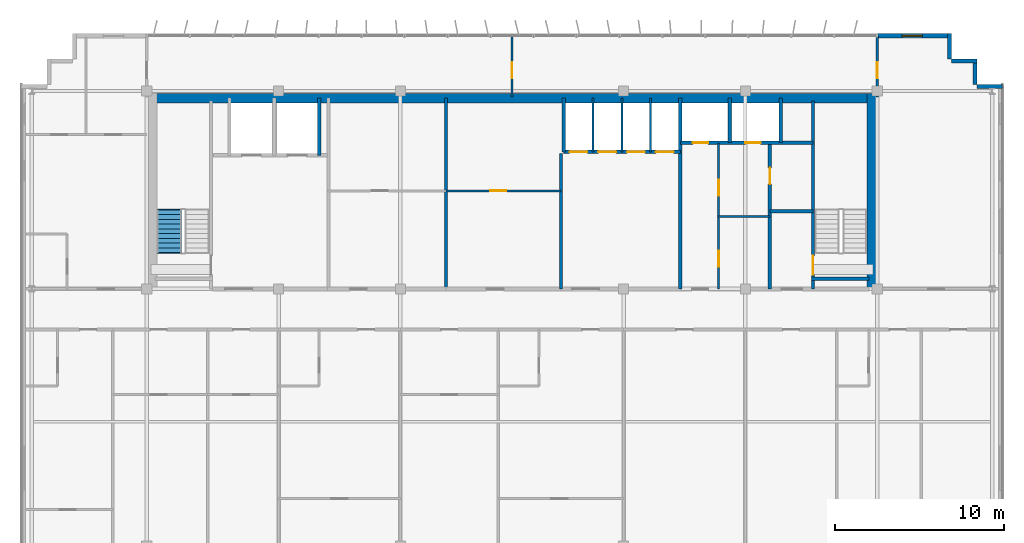
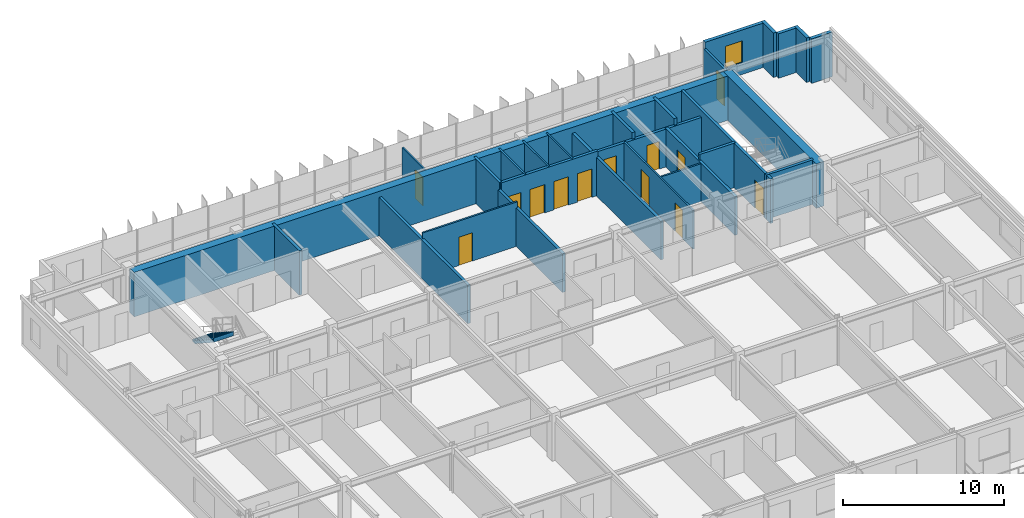
# One storey, part 20 of 23: 28 walls, 13 doors, 1 stair flight, 1 window, 14 openings, 1 element without a shape of its own.
"""IFC4 building model written with IfcOpenShell, lengths in metres."""

from ifc_helpers import new_model, si_unit, direction, frame, frame_2d, origin, place, context, subcontext, project, spatial, polyline, rectangle, outline, extrude, source, transform, mapped, material, layer, layer_set, type_object, element, fill, aggregate, save


model = new_model("IFC4")

# Units and contexts
model_context = context("Model", 3, precision=1e-05, world=origin(), true_north=direction((0.0, 1.0)))
body_context = subcontext(model_context, "Body", "Model", "MODEL_VIEW")
ifc_project = project(units=[si_unit("LENGTHUNIT", "METRE"), si_unit("AREAUNIT", "SQUARE_METRE"), si_unit("VOLUMEUNIT", "CUBIC_METRE"), si_unit("PLANEANGLEUNIT", "RADIAN"), si_unit("MASSUNIT", "GRAM", prefix="KILO")], contexts=[model_context])

# Site, building, storey
site_placement = place(None, origin())
site = spatial("IfcSite", under=ifc_project, at=site_placement, CompositionType="ELEMENT")
building_placement = place(site_placement, origin())
building = spatial("IfcBuilding", under=site, at=building_placement, Name="Trelvane Seafront Commons", CompositionType="ELEMENT")
storey_placement = place(building_placement, frame((0.0, 0.0, 263.10009765625)))
storey = spatial("IfcBuildingStorey", under=building, at=storey_placement, Name="L68", CompositionType="ELEMENT", Elevation=263.10009765625)

# Wall, opening, window
ifc_material_1 = material(Name="Precast concrete C40/50", Category="concrete")
ifc_layer_1 = layer(ifc_material_1, 0.239990234375, Name="ARCH-WALL-EXT240")
ifc_layer_set_1 = layer_set([ifc_layer_1], Name="Precast concrete C40/50")
wall_type_1 = type_object("IfcWallType", Name="ARCH-WALL-EXT240", PredefinedType="SOLIDWALL", material=ifc_layer_set_1)
wall_1_placement = place(storey_placement, frame((58.800048828125, 48.3701171875, 0.0), z_axis=(0.0, 0.0, 1.0), x_axis=(1.0, 0.0, 0.0)))
wall_1 = element("IfcWall", 1, at=wall_1_placement, inside=storey, type_object=wall_type_1, Name="EW-L68-NE-1362", PredefinedType="SOLIDWALL", context=body_context, shape_type="SweptSolid", body=[
    extrude(rectangle(XDim=4.300048828125, YDim=0.239990234375, at=frame_2d((2.14990234375, 0.0))), origin(), (0.0, 0.0, 1.0), 3.369873046875),
])
opening_1_placement = place(wall_1_placement, frame((1.4599609375, 0.0, 0.89990234375)))
opening_1 = element("IfcOpeningElement", 2, at=opening_1_placement, cuts=wall_1, Name="Opening W05", PredefinedType="OPENING", context=body_context, shape_type="SweptSolid", body=[
    extrude(rectangle(XDim=1.199951171875, YDim=1.64990234375, at=frame_2d((0.60009765625, 0.824951171875))), frame((0.0, 0.1298828125, 0.0), z_axis=(0.0, -1.0, 0.0), x_axis=(1.0, 0.0, 0.0)), (0.0, 0.0, 1.0), 0.260009765625),
])
ifc_material_2 = material(Name="Low-E coastal double glazing", Category="glass")
window_type = type_object("IfcWindowType", Name="ARCH-WIN-W05", PartitioningType="SINGLE_PANEL", PredefinedType="WINDOW", material=ifc_material_2)
shared_shape_1 = source(origin(), body_context, "Body", "SweptSolid", [
    extrude(rectangle(XDim=1.199951171875, YDim=1.64990234375, at=frame_2d((0.60009765625, 0.824951171875))), frame((0.0, 0.030029296875, 0.0), z_axis=(0.0, -1.0, 0.0), x_axis=(1.0, 0.0, 0.0)), (0.0, 0.0, 1.0), 0.06005859375),
])
window_placement = place(opening_1_placement, origin())
window = element("IfcWindow", 3, at=window_placement, inside=storey, type_object=window_type, Name="WIN-L68-01621", OverallHeight=1.64990234375, OverallWidth=1.199951171875, PartitioningType="SINGLE_PANEL", PredefinedType="WINDOW", context=body_context, shape_type="MappedRepresentation", body=[
    mapped(shared_shape_1, transform((0.0, 0.0, 0.0), x_axis=(1.0, 0.0, 0.0), y_axis=(0.0, 1.0, 0.0), z_axis=(0.0, 0.0, 1.0), scale=1.0)),
])
fill(opening_1, window)

# Walls
for number, where, z_axis, x_axis, name in (
    (4, (63.080078125, 48.5, 0.0), (0.0, 0.0, 1.0), (0.0, -1.0, 0.0), "EW-L68-01371"),
    (5, (63.199951171875, 46.8798828125, 0.0), (0.0, 0.0, 1.0), (1.0, 0.0, 0.0), "EW-L68-01372"),
    (6, (64.580078125, 47.0, 0.0), (0.0, 0.0, 1.0), (0.0, -1.0, 0.0), "EW-L68-01373"),
    (7, (64.699951171875, 45.3798828125, 0.0), (0.0, 0.0, 1.0), (1.0, 0.0, 0.0), "EW-L68-01374"),
):
    element("IfcWall", number, at=place(storey_placement, frame(where, z_axis=z_axis, x_axis=x_axis)), inside=storey, type_object=wall_type_1, Name=name, PredefinedType="SOLIDWALL", context=body_context, shape_type="SweptSolid", body=[
        extrude(rectangle(XDim=1.5, YDim=0.239990234375, at=frame_2d((0.75, 0.0))), origin(), (0.0, 0.0, 1.0), 3.369873046875),
    ])

# Wall, opening, door
ifc_material_3 = material(Name="Concrete C40/50", Category="concrete")
ifc_layer_2 = layer(ifc_material_3, 0.199951171875, Name="ARCH-WALL-FIRE200")
ifc_layer_set_2 = layer_set([ifc_layer_2], Name="Concrete C40/50")
wall_type_2 = type_object("IfcWallType", Name="ARCH-WALL-FIRE200", PredefinedType="PARTITIONING", material=ifc_layer_set_2)
wall_2_placement = place(storey_placement, frame((52.449951171875, 33.39990234375, 0.0), z_axis=(0.0, 0.0, 1.0), x_axis=(0.0, 1.0, 0.0)))
wall_2 = element("IfcWall", 8, at=wall_2_placement, inside=storey, type_object=wall_type_2, Name="W-L68-ST2V-W-030", PredefinedType="PARTITIONING", context=body_context, shape_type="SweptSolid", body=[
    extrude(rectangle(XDim=8.650146484375, YDim=0.199951171875, at=frame_2d((4.3251953125, 0.0))), origin(), (0.0, 0.0, 1.0), 2.919921875),
])
opening_2_placement = place(wall_2_placement, frame((6.199951171875, 0.0, 0.0)))
opening_2 = element("IfcOpeningElement", 9, at=opening_2_placement, cuts=wall_2, Name="Opening FD-L68-17", PredefinedType="OPENING", context=body_context, shape_type="SweptSolid", body=[
    extrude(rectangle(XDim=0.949951171875, YDim=2.14990234375, at=frame_2d((0.47509765625, 1.074951171875))), frame((0.0, 0.10986328125, 0.0), z_axis=(0.0, -1.0, 0.0), x_axis=(1.0, 0.0, 0.0)), (0.0, 0.0, 1.0), 0.219970703125),
])
ifc_material_4 = material(Name="Powder-coated aluminium frame", Category="aluminium")
door_type_1 = type_object("IfcDoorType", Name="ARCH-DR-FD60-950", OperationType="NOTDEFINED", PredefinedType="DOOR", material=ifc_material_4)
shared_shape_2 = source(origin(), body_context, "Body", "SweptSolid", [
    extrude(rectangle(XDim=0.949951171875, YDim=2.14990234375, at=frame_2d((0.47509765625, 1.074951171875))), frame((0.0, 0.02490234375, 0.0), z_axis=(0.0, -1.0, 0.0), x_axis=(1.0, 0.0, 0.0)), (0.0, 0.0, 1.0), 0.050048828125),
])
door_1_placement = place(opening_2_placement, origin())
door_1 = element("IfcDoor", 10, at=door_1_placement, inside=storey, type_object=door_type_1, Name="L68 Cleaner Store Door", OperationType="SINGLE_SWING_LEFT", OverallHeight=2.14990234375, OverallWidth=0.949951171875, PredefinedType="DOOR", context=body_context, shape_type="MappedRepresentation", body=[
    mapped(shared_shape_2, transform((0.0, 0.0, 0.0), x_axis=(1.0, 0.0, 0.0), y_axis=(0.0, 1.0, 0.0), z_axis=(0.0, 0.0, 1.0), scale=1.0)),
])
fill(opening_2, door_1)

# Wall
wall_3_placement = place(storey_placement, frame((52.449951171875, 38.0, 0.0), z_axis=(0.0, 0.0, 1.0), x_axis=(1.0, 0.0, 0.0)))
element("IfcWall", 11, at=wall_3_placement, inside=storey, type_object=wall_type_2, Name="W-L68-ST2V-N-031", PredefinedType="PARTITIONING", context=body_context, shape_type="SweptSolid", body=[
    extrude(rectangle(XDim=2.550048828125, YDim=0.199951171875, at=frame_2d((1.27490234375, 0.0))), origin(), (0.0, 0.0, 1.0), 3.369873046875),
])

# Wall, opening, door
ifc_material_5 = material(Name="Gypsum Drywall Acoustic Partition")
ifc_layer_3 = layer(ifc_material_5, 0.1201171875, Name="ARCH-WALL-PART120")
ifc_layer_set_3 = layer_set([ifc_layer_3], Name="Gypsum Drywall Acoustic Partition")
wall_type_3 = type_object("IfcWallType", Name="ARCH-WALL-PART120", PredefinedType="PARTITIONING", material=ifc_layer_set_3)
wall_4_placement = place(storey_placement, frame((33.300048828125, 39.199951171875, 0.0), z_axis=(0.0, 0.0, 1.0), x_axis=(1.0, 0.0, 0.0)))
wall_4 = element("IfcWall", 12, at=wall_4_placement, inside=storey, type_object=wall_type_3, Name="W-L68-FREED-PM-MID-016", PredefinedType="PARTITIONING", context=body_context, shape_type="SweptSolid", body=[
    extrude(rectangle(XDim=6.800048828125, YDim=0.1201171875, at=frame_2d((3.39990234375, 0.0))), origin(), (0.0, 0.0, 1.0), 3.369873046875),
])
opening_3_placement = place(wall_4_placement, frame((2.60009765625, 0.0, 0.0)))
opening_3 = element("IfcOpeningElement", 13, at=opening_3_placement, cuts=wall_4, Name="Opening D-L68-07", PredefinedType="OPENING", context=body_context, shape_type="SweptSolid", body=[
    extrude(rectangle(XDim=0.949951171875, YDim=2.14990234375, at=frame_2d((0.47509765625, 1.074951171875))), frame((0.0, 0.070068359375, 0.0), z_axis=(0.0, -1.0, 0.0), x_axis=(1.0, 0.0, 0.0)), (0.0, 0.0, 1.0), 0.14013671875),
])
ifc_material_6 = material(Name="Acoustic timber door leaf", Category="wood")
door_type_2 = type_object("IfcDoorType", Name="ARCH-DR-INT950", OperationType="NOTDEFINED", PredefinedType="DOOR", material=ifc_material_6)
door_2_placement = place(opening_3_placement, origin())
door_2 = element("IfcDoor", 14, at=door_2_placement, inside=storey, type_object=door_type_2, Name="L68 IT Comms Room Door", OperationType="SINGLE_SWING_LEFT", OverallHeight=2.14990234375, OverallWidth=0.949951171875, PredefinedType="DOOR", context=body_context, shape_type="MappedRepresentation", body=[
    mapped(shared_shape_2, transform((0.0, 0.0, 0.0), x_axis=(1.0, 0.0, 0.0), y_axis=(0.0, 1.0, 0.0), z_axis=(0.0, 0.0, 1.0), scale=1.0)),
])
fill(opening_3, door_2)

# Walls
for number, where, z_axis, x_axis, name in (
    (15, (42.0, 41.5, 0.0), (0.0, 0.0, 1.0), (0.0, 1.0, 0.0), "W-L68-PH-DIV1-020"),
    (16, (43.699951171875, 41.5, 0.0), (0.0, 0.0, 1.0), (0.0, 1.0, 0.0), "W-L68-PH-DIV2-021"),
    (17, (45.39990234375, 41.5, 0.0), (0.0, 0.0, 1.0), (0.0, 1.0, 0.0), "W-L68-PH-DIV3-022"),
):
    element("IfcWall", number, at=place(storey_placement, frame(where, z_axis=z_axis, x_axis=x_axis)), inside=storey, type_object=wall_type_3, Name=name, PredefinedType="PARTITIONING", context=body_context, shape_type="SweptSolid", body=[
        extrude(rectangle(XDim=3.199951171875, YDim=0.1201171875, at=frame_2d((1.60009765625, 0.0))), origin(), (0.0, 0.0, 1.0), 3.369873046875),
    ])

# Wall, openings, doors
wall_5_placement = place(storey_placement, frame((49.419921875, 33.39990234375, 0.0), z_axis=(0.0, 0.0, 1.0), x_axis=(0.0, 1.0, 0.0)))
wall_5 = element("IfcWall", 18, at=wall_5_placement, inside=storey, type_object=wall_type_3, Name="W-L68-CYC0-V-032", PredefinedType="PARTITIONING", context=body_context, shape_type="SweptSolid", body=[
    extrude(rectangle(XDim=8.60009765625, YDim=0.1201171875, at=frame_2d((4.300048828125, 0.0))), origin(), (0.0, 0.0, 1.0), 2.919921875),
])
opening_4_placement = place(wall_5_placement, frame((1.300048828125, 0.0, 0.0)))
opening_4 = element("IfcOpeningElement", 19, at=opening_4_placement, cuts=wall_5, Name="Opening D-L68-18", PredefinedType="OPENING", context=body_context, shape_type="SweptSolid", body=[
    extrude(rectangle(XDim=0.949951171875, YDim=2.14990234375, at=frame_2d((0.47509765625, 1.074951171875))), frame((0.0, 0.070068359375, 0.0), z_axis=(0.0, -1.0, 0.0), x_axis=(1.0, 0.0, 0.0)), (0.0, 0.0, 1.0), 0.14013671875),
])
opening_5_placement = place(wall_5_placement, frame((5.5, 0.0, 0.0)))
opening_5 = element("IfcOpeningElement", 20, at=opening_5_placement, cuts=wall_5, Name="Opening D-L68-19", PredefinedType="OPENING", context=body_context, shape_type="SweptSolid", body=[
    extrude(rectangle(XDim=0.949951171875, YDim=2.14990234375, at=frame_2d((0.47509765625, 1.074951171875))), frame((0.0, 0.070068359375, 0.0), z_axis=(0.0, -1.0, 0.0), x_axis=(1.0, 0.0, 0.0)), (0.0, 0.0, 1.0), 0.14013671875),
])
door_3_placement = place(opening_4_placement, origin())
door_3 = element("IfcDoor", 21, at=door_3_placement, inside=storey, type_object=door_type_2, Name="L68 Accessible WC Door", OperationType="SINGLE_SWING_RIGHT", OverallHeight=2.14990234375, OverallWidth=0.949951171875, PredefinedType="DOOR", context=body_context, shape_type="MappedRepresentation", body=[
    mapped(shared_shape_2, transform((0.0, 0.0, 0.0), x_axis=(1.0, 0.0, 0.0), y_axis=(0.0, 1.0, 0.0), z_axis=(0.0, 0.0, 1.0), scale=1.0)),
])
fill(opening_4, door_3)
door_4_placement = place(opening_5_placement, origin())
door_4 = element("IfcDoor", 22, at=door_4_placement, inside=storey, type_object=door_type_2, Name="L68 Common WC Door", OperationType="SINGLE_SWING_LEFT", OverallHeight=2.14990234375, OverallWidth=0.949951171875, PredefinedType="DOOR", context=body_context, shape_type="MappedRepresentation", body=[
    mapped(shared_shape_2, transform((0.0, 0.0, 0.0), x_axis=(1.0, 0.0, 0.0), y_axis=(0.0, 1.0, 0.0), z_axis=(0.0, 0.0, 1.0), scale=1.0)),
])
fill(opening_5, door_4)

# Wall
wall_6_placement = place(storey_placement, frame((49.419921875, 37.679931640625, 0.0), z_axis=(0.0, 0.0, 1.0), x_axis=(1.0, 0.0, 0.0)))
element("IfcWall", 23, at=wall_6_placement, inside=storey, type_object=wall_type_3, Name="W-L68-CYC0-H-033", PredefinedType="PARTITIONING", context=body_context, shape_type="SweptSolid", body=[
    extrude(rectangle(XDim=3.030029296875, YDim=0.1201171875, at=frame_2d((1.51513671875, 0.0))), origin(), (0.0, 0.0, 1.0), 2.869873046875),
])

# Wall, opening, door
wall_7_placement = place(storey_placement, frame((37.199951171875, 44.75, 0.0), z_axis=(0.0, 0.0, 1.0), x_axis=(0.0, 1.0, 0.0)))
wall_7 = element("IfcWall", 24, at=wall_7_placement, inside=storey, type_object=wall_type_3, Name="W-L68-N-MID-DV-042", PredefinedType="PARTITIONING", context=body_context, shape_type="SweptSolid", body=[
    extrude(rectangle(XDim=3.610107421875, YDim=0.1201171875, at=frame_2d((1.80517578125, 0.0))), origin(), (0.0, 0.0, 1.0), 2.919921875),
])
opening_6_placement = place(wall_7_placement, frame((1.10009765625, 0.0, 0.0)))
opening_6 = element("IfcOpeningElement", 25, at=opening_6_placement, cuts=wall_7, Name="Opening D-L68-27", PredefinedType="OPENING", context=body_context, shape_type="SweptSolid", body=[
    extrude(rectangle(XDim=0.949951171875, YDim=2.14990234375, at=frame_2d((0.47509765625, 1.074951171875))), frame((0.0, 0.070068359375, 0.0), z_axis=(0.0, -1.0, 0.0), x_axis=(1.0, 0.0, 0.0)), (0.0, 0.0, 1.0), 0.14013671875),
])
door_5_placement = place(opening_6_placement, origin())
door_5 = element("IfcDoor", 26, at=door_5_placement, inside=storey, type_object=door_type_2, Name="L68 Door 27", OperationType="SINGLE_SWING_LEFT", OverallHeight=2.14990234375, OverallWidth=0.949951171875, PredefinedType="DOOR", context=body_context, shape_type="MappedRepresentation", body=[
    mapped(shared_shape_2, transform((0.0, 0.0, 0.0), x_axis=(1.0, 0.0, 0.0), y_axis=(0.0, 1.0, 0.0), z_axis=(0.0, 0.0, 1.0), scale=1.0)),
])
fill(opening_6, door_5)

ifc_layer_4 = layer(ifc_material_5, 0.14990234375, Name="ARCH-WALL-PART150")
ifc_layer_set_4 = layer_set([ifc_layer_4], Name="Gypsum Drywall Acoustic Partition")
wall_type_4 = type_object("IfcWallType", Name="ARCH-WALL-PART150", PredefinedType="PARTITIONING", material=ifc_layer_set_4)
wall_8_placement = place(storey_placement, frame((58.800048828125, 44.75, 0.0), z_axis=(0.0, 0.0, 1.0), x_axis=(0.0, 1.0, 0.0)))
wall_8 = element("IfcWall", 27, at=wall_8_placement, inside=storey, type_object=wall_type_4, Name="W-L68-N-LINK-E-044", PredefinedType="PARTITIONING", context=body_context, shape_type="SweptSolid", body=[
    extrude(rectangle(XDim=3.610107421875, YDim=0.14990234375, at=frame_2d((1.80517578125, 0.0))), origin(), (0.0, 0.0, 1.0), 2.869873046875),
])
opening_7_placement = place(wall_8_placement, frame((1.10009765625, 0.0, 0.0)))
opening_7 = element("IfcOpeningElement", 28, at=opening_7_placement, cuts=wall_8, Name="Opening FD-L68-29", PredefinedType="OPENING", context=body_context, shape_type="SweptSolid", body=[
    extrude(rectangle(XDim=0.949951171875, YDim=2.14990234375, at=frame_2d((0.47509765625, 1.074951171875))), frame((0.0, 0.0849609375, 0.0), z_axis=(0.0, -1.0, 0.0), x_axis=(1.0, 0.0, 0.0)), (0.0, 0.0, 1.0), 0.169921875),
])
door_6_placement = place(opening_7_placement, origin())
door_6 = element("IfcDoor", 29, at=door_6_placement, inside=storey, type_object=door_type_1, Name="L68 Door 29", OperationType="SINGLE_SWING_LEFT", OverallHeight=2.14990234375, OverallWidth=0.949951171875, PredefinedType="DOOR", context=body_context, shape_type="MappedRepresentation", body=[
    mapped(shared_shape_2, transform((0.0, 0.0, 0.0), x_axis=(1.0, 0.0, 0.0), y_axis=(0.0, 1.0, 0.0), z_axis=(0.0, 0.0, 1.0), scale=1.0)),
])
fill(opening_7, door_6)

# Walls
ifc_layer_5 = layer(ifc_material_3, 0.199951171875, Name="ARCH-WALL-SHAFT200")
ifc_layer_set_5 = layer_set([ifc_layer_5], Name="Concrete C40/50")
wall_type_5 = type_object("IfcWallType", Name="ARCH-WALL-SHAFT200", PredefinedType="SOLIDWALL", material=ifc_layer_set_5)
wall_9_placement = place(storey_placement, frame((25.800048828125, 41.300048828125, 0.0), z_axis=(0.0, 0.0, 1.0), x_axis=(0.0, 1.0, 0.0)))
element("IfcWall", 30, at=wall_9_placement, inside=storey, type_object=wall_type_5, Name="W-L68-FFL-SH-E-011", PredefinedType="SOLIDWALL", context=body_context, shape_type="SweptSolid", body=[
    extrude(rectangle(XDim=3.39990234375, YDim=0.199951171875, at=frame_2d((1.699951171875, 0.0))), origin(), (0.0, 0.0, 1.0), 3.369873046875),
])
wall_10_placement = place(storey_placement, frame((33.300048828125, 33.39990234375, 0.0), z_axis=(0.0, 0.0, 1.0), x_axis=(0.0, 1.0, 0.0)))
element("IfcWall", 31, at=wall_10_placement, inside=storey, type_object=wall_type_5, Name="W-L68-FREED-PL-E-015", PredefinedType="SOLIDWALL", context=body_context, shape_type="SweptSolid", body=[
    extrude(rectangle(XDim=11.300048828125, YDim=0.199951171875, at=frame_2d((5.64990234375, 0.0))), origin(), (0.0, 0.0, 1.0), 2.919921875),
])
wall_11_placement = place(storey_placement, frame((40.10009765625, 33.39990234375, 0.0), z_axis=(0.0, 0.0, 1.0), x_axis=(0.0, 1.0, 0.0)))
element("IfcWall", 32, at=wall_11_placement, inside=storey, type_object=wall_type_5, Name="W-L68-FREED-PM-E-017", PredefinedType="SOLIDWALL", context=body_context, shape_type="SweptSolid", body=[
    extrude(rectangle(XDim=8.0, YDim=0.199951171875, at=frame_2d((4.0, 0.0))), origin(), (0.0, 0.0, 1.0), 2.919921875),
])

# Wall, openings, doors
wall_12_placement = place(storey_placement, frame((40.25, 41.5, 0.0), z_axis=(0.0, 0.0, 1.0), x_axis=(1.0, 0.0, 0.0)))
wall_12 = element("IfcWall", 33, at=wall_12_placement, inside=storey, type_object=wall_type_5, Name="W-L68-PH-FRONT-018", PredefinedType="SOLIDWALL", context=body_context, shape_type="SweptSolid", body=[
    extrude(rectangle(XDim=6.89990234375, YDim=0.199951171875, at=frame_2d((3.449951171875, 0.0))), origin(), (0.0, 0.0, 1.0), 3.369873046875),
])
opening_8_placement = place(wall_12_placement, frame((0.35009765625, 0.0, 0.0)))
opening_8 = element("IfcOpeningElement", 34, at=opening_8_placement, cuts=wall_12, Name="Opening LD-PH1-L68", PredefinedType="OPENING", context=body_context, shape_type="SweptSolid", body=[
    extrude(rectangle(XDim=1.050048828125, YDim=2.14990234375, at=frame_2d((0.52490234375, 1.074951171875))), frame((0.0, 0.10986328125, 0.0), z_axis=(0.0, -1.0, 0.0), x_axis=(1.0, 0.0, 0.0)), (0.0, 0.0, 1.0), 0.219970703125),
])
opening_9_placement = place(wall_12_placement, frame((2.050048828125, 0.0, 0.0)))
opening_9 = element("IfcOpeningElement", 35, at=opening_9_placement, cuts=wall_12, Name="Opening LD-PH2-L68", PredefinedType="OPENING", context=body_context, shape_type="SweptSolid", body=[
    extrude(rectangle(XDim=1.050048828125, YDim=2.14990234375, at=frame_2d((0.52490234375, 1.074951171875))), frame((0.0, 0.10986328125, 0.0), z_axis=(0.0, -1.0, 0.0), x_axis=(1.0, 0.0, 0.0)), (0.0, 0.0, 1.0), 0.219970703125),
])
opening_10_placement = place(wall_12_placement, frame((3.75, 0.0, 0.0)))
opening_10 = element("IfcOpeningElement", 36, at=opening_10_placement, cuts=wall_12, Name="Opening LD-PH3-L68", PredefinedType="OPENING", context=body_context, shape_type="SweptSolid", body=[
    extrude(rectangle(XDim=1.050048828125, YDim=2.14990234375, at=frame_2d((0.52490234375, 1.074951171875))), frame((0.0, 0.10986328125, 0.0), z_axis=(0.0, -1.0, 0.0), x_axis=(1.0, 0.0, 0.0)), (0.0, 0.0, 1.0), 0.219970703125),
])
opening_11_placement = place(wall_12_placement, frame((5.449951171875, 0.0, 0.0)))
opening_11 = element("IfcOpeningElement", 37, at=opening_11_placement, cuts=wall_12, Name="Opening LD-PH4-L68", PredefinedType="OPENING", context=body_context, shape_type="SweptSolid", body=[
    extrude(rectangle(XDim=1.050048828125, YDim=2.14990234375, at=frame_2d((0.52490234375, 1.074951171875))), frame((0.0, 0.10986328125, 0.0), z_axis=(0.0, -1.0, 0.0), x_axis=(1.0, 0.0, 0.0)), (0.0, 0.0, 1.0), 0.219970703125),
])
ifc_material_7 = material(Name="Stainless steel balustrade", Category="steel")
door_type_3 = type_object("IfcDoorType", Name="ARCH-DR-LD1050", OperationType="DOUBLE_DOOR_SLIDING", PredefinedType="DOOR", material=ifc_material_7)
shared_shape_3 = source(origin(), body_context, "Body", "SweptSolid", [
    extrude(rectangle(XDim=1.050048828125, YDim=2.14990234375, at=frame_2d((0.52490234375, 1.074951171875))), frame((0.0, 0.02490234375, 0.0), z_axis=(0.0, -1.0, 0.0), x_axis=(1.0, 0.0, 0.0)), (0.0, 0.0, 1.0), 0.050048828125),
])
door_7_placement = place(opening_8_placement, origin())
door_7 = element("IfcDoor", 38, at=door_7_placement, inside=storey, type_object=door_type_3, Name="L68 Passenger Lift PH-1 Landing Door", OperationType="DOUBLE_DOOR_SLIDING", OverallHeight=2.14990234375, OverallWidth=1.050048828125, PredefinedType="DOOR", context=body_context, shape_type="MappedRepresentation", body=[
    mapped(shared_shape_3, transform((0.0, 0.0, 0.0), x_axis=(1.0, 0.0, 0.0), y_axis=(0.0, 1.0, 0.0), z_axis=(0.0, 0.0, 1.0), scale=1.0)),
])
fill(opening_8, door_7)
door_8_placement = place(opening_9_placement, origin())
door_8 = element("IfcDoor", 39, at=door_8_placement, inside=storey, type_object=door_type_3, Name="L68 Passenger Lift PH-2 Landing Door", OperationType="DOUBLE_DOOR_SLIDING", OverallHeight=2.14990234375, OverallWidth=1.050048828125, PredefinedType="DOOR", context=body_context, shape_type="MappedRepresentation", body=[
    mapped(shared_shape_3, transform((0.0, 0.0, 0.0), x_axis=(1.0, 0.0, 0.0), y_axis=(0.0, 1.0, 0.0), z_axis=(0.0, 0.0, 1.0), scale=1.0)),
])
fill(opening_9, door_8)
door_9_placement = place(opening_10_placement, origin())
door_9 = element("IfcDoor", 40, at=door_9_placement, inside=storey, type_object=door_type_3, Name="L68 Passenger Lift PH-3 Landing Door", OperationType="DOUBLE_DOOR_SLIDING", OverallHeight=2.14990234375, OverallWidth=1.050048828125, PredefinedType="DOOR", context=body_context, shape_type="MappedRepresentation", body=[
    mapped(shared_shape_3, transform((0.0, 0.0, 0.0), x_axis=(1.0, 0.0, 0.0), y_axis=(0.0, 1.0, 0.0), z_axis=(0.0, 0.0, 1.0), scale=1.0)),
])
fill(opening_10, door_9)
door_10_placement = place(opening_11_placement, origin())
door_10 = element("IfcDoor", 41, at=door_10_placement, inside=storey, type_object=door_type_3, Name="L68 Passenger Lift PH-4 Landing Door", OperationType="DOUBLE_DOOR_SLIDING", OverallHeight=2.14990234375, OverallWidth=1.050048828125, PredefinedType="DOOR", context=body_context, shape_type="MappedRepresentation", body=[
    mapped(shared_shape_3, transform((0.0, 0.0, 0.0), x_axis=(1.0, 0.0, 0.0), y_axis=(0.0, 1.0, 0.0), z_axis=(0.0, 0.0, 1.0), scale=1.0)),
])
fill(opening_11, door_10)

# Walls
wall_13_placement = place(storey_placement, frame((40.25, 41.5, 0.0), z_axis=(0.0, 0.0, 1.0), x_axis=(0.0, 1.0, 0.0)))
element("IfcWall", 42, at=wall_13_placement, inside=storey, type_object=wall_type_5, Name="W-L68-PH-WEST-SH-019", PredefinedType="SOLIDWALL", context=body_context, shape_type="SweptSolid", body=[
    extrude(rectangle(XDim=3.199951171875, YDim=0.199951171875, at=frame_2d((1.60009765625, 0.0))), origin(), (0.0, 0.0, 1.0), 3.369873046875),
])
wall_14_placement = place(storey_placement, frame((47.14990234375, 33.39990234375, 0.0), z_axis=(0.0, 0.0, 1.0), x_axis=(0.0, 1.0, 0.0)))
element("IfcWall", 43, at=wall_14_placement, inside=storey, type_object=wall_type_5, Name="W-L68-PH-EAST-023", PredefinedType="SOLIDWALL", context=body_context, shape_type="SweptSolid", body=[
    extrude(rectangle(XDim=11.300048828125, YDim=0.199951171875, at=frame_2d((5.64990234375, 0.0))), origin(), (0.0, 0.0, 1.0), 2.919921875),
])

# Wall, openings, doors
wall_15_placement = place(storey_placement, frame((47.14990234375, 42.050048828125, 0.0), z_axis=(0.0, 0.0, 1.0), x_axis=(1.0, 0.0, 0.0)))
wall_15 = element("IfcWall", 44, at=wall_15_placement, inside=storey, type_object=wall_type_5, Name="W-L68-RSR-S-027", PredefinedType="SOLIDWALL", context=body_context, shape_type="SweptSolid", body=[
    extrude(rectangle(XDim=7.85009765625, YDim=0.199951171875, at=frame_2d((3.925048828125, 0.0))), origin(), (0.0, 0.0, 1.0), 2.869873046875),
])
opening_12_placement = place(wall_15_placement, frame((0.75, 0.0, 0.0)))
opening_12 = element("IfcOpeningElement", 45, at=opening_12_placement, cuts=wall_15, Name="Opening FD-L68-15", PredefinedType="OPENING", context=body_context, shape_type="SweptSolid", body=[
    extrude(rectangle(XDim=0.89990234375, YDim=2.10009765625, at=frame_2d((0.449951171875, 1.050048828125))), frame((0.0, 0.10986328125, 0.0), z_axis=(0.0, -1.0, 0.0), x_axis=(1.0, 0.0, 0.0)), (0.0, 0.0, 1.0), 0.219970703125),
])
opening_13_placement = place(wall_15_placement, frame((3.85009765625, 0.0, 0.0)))
opening_13 = element("IfcOpeningElement", 46, at=opening_13_placement, cuts=wall_15, Name="Opening FD-L68-16", PredefinedType="OPENING", context=body_context, shape_type="SweptSolid", body=[
    extrude(rectangle(XDim=0.89990234375, YDim=2.10009765625, at=frame_2d((0.449951171875, 1.050048828125))), frame((0.0, 0.10986328125, 0.0), z_axis=(0.0, -1.0, 0.0), x_axis=(1.0, 0.0, 0.0)), (0.0, 0.0, 1.0), 0.219970703125),
])
door_type_4 = type_object("IfcDoorType", Name="ARCH-DR-FD60-900", OperationType="NOTDEFINED", PredefinedType="DOOR", material=ifc_material_4)
shared_shape_4 = source(origin(), body_context, "Body", "SweptSolid", [
    extrude(rectangle(XDim=0.89990234375, YDim=2.10009765625, at=frame_2d((0.449951171875, 1.050048828125))), frame((0.0, 0.02490234375, 0.0), z_axis=(0.0, -1.0, 0.0), x_axis=(1.0, 0.0, 0.0)), (0.0, 0.0, 1.0), 0.050048828125),
])
door_11_placement = place(opening_12_placement, origin())
door_11 = element("IfcDoor", 47, at=door_11_placement, inside=storey, type_object=door_type_4, Name="L68 Electrical Riser Access Door", OperationType="SINGLE_SWING_LEFT", OverallHeight=2.10009765625, OverallWidth=0.89990234375, PredefinedType="DOOR", context=body_context, shape_type="MappedRepresentation", body=[
    mapped(shared_shape_4, transform((0.0, 0.0, 0.0), x_axis=(1.0, 0.0, 0.0), y_axis=(0.0, 1.0, 0.0), z_axis=(0.0, 0.0, 1.0), scale=1.0)),
])
fill(opening_12, door_11)
door_12_placement = place(opening_13_placement, origin())
door_12 = element("IfcDoor", 48, at=door_12_placement, inside=storey, type_object=door_type_4, Name="L68 Mechanical Riser Access Door", OperationType="SINGLE_SWING_RIGHT", OverallHeight=2.10009765625, OverallWidth=0.89990234375, PredefinedType="DOOR", context=body_context, shape_type="MappedRepresentation", body=[
    mapped(shared_shape_4, transform((0.0, 0.0, 0.0), x_axis=(1.0, 0.0, 0.0), y_axis=(0.0, 1.0, 0.0), z_axis=(0.0, 0.0, 1.0), scale=1.0)),
])
fill(opening_13, door_12)

# Walls
for number, where, z_axis, x_axis, name in (
    (49, (50.080078125, 42.050048828125, 0.0), (0.0, 0.0, 1.0), (0.0, 1.0, 0.0), "W-L68-RSR-DIV-028"),
    (50, (53.10009765625, 42.050048828125, 0.0), (0.0, 0.0, 1.0), (0.0, 1.0, 0.0), "W-L68-RSR-E-029"),
):
    element("IfcWall", number, at=place(storey_placement, frame(where, z_axis=z_axis, x_axis=x_axis)), inside=storey, type_object=wall_type_5, Name=name, PredefinedType="SOLIDWALL", context=body_context, shape_type="SweptSolid", body=[
        extrude(rectangle(XDim=2.64990234375, YDim=0.199951171875, at=frame_2d((1.324951171875, 0.0))), origin(), (0.0, 0.0, 1.0), 3.369873046875),
    ])
ifc_material_8 = material(Name="Concrete C50/60", Category="concrete")
ifc_layer_6 = layer(ifc_material_8, 0.550048828125, Name="STR-WALL-CORE550")
ifc_layer_set_6 = layer_set([ifc_layer_6], Name="Concrete C50/60")
wall_type_6 = type_object("IfcWallType", Name="STR-WALL-CORE550", PredefinedType="SHEAR", material=ifc_layer_set_6)
wall_16_placement = place(storey_placement, frame((15.64990234375, 44.675048828125, 0.0), z_axis=(0.0, 0.0, 1.0), x_axis=(1.0, 0.0, 0.0)))
element("IfcWall", 51, at=wall_16_placement, inside=storey, type_object=wall_type_6, Name="W-L68-CN-ALL-001", PredefinedType="SHEAR", context=body_context, shape_type="SweptSolid", body=[
    extrude(rectangle(XDim=43.10009765625, YDim=0.550048828125, at=frame_2d((21.550048828125, 0.0))), origin(), (0.0, 0.0, 1.0), 3.369873046875),
])
wall_17_placement = place(storey_placement, frame((58.47509765625, 33.39990234375, 0.0), z_axis=(0.0, 0.0, 1.0), x_axis=(0.0, 1.0, 0.0)))
element("IfcWall", 52, at=wall_17_placement, inside=storey, type_object=wall_type_6, Name="W-L68-CE-END-003", PredefinedType="SHEAR", context=body_context, shape_type="SweptSolid", body=[
    extrude(rectangle(XDim=11.550048828125, YDim=0.550048828125, at=frame_2d((5.77490234375, 0.0))), origin(), (0.0, 0.0, 1.0), 3.369873046875),
])
ifc_layer_7 = layer(ifc_material_8, 0.199951171875, Name="STR-WALL-STAIR200")
ifc_layer_set_7 = layer_set([ifc_layer_7], Name="Concrete C50/60")
wall_type_7 = type_object("IfcWallType", Name="STR-WALL-STAIR200", PredefinedType="SHEAR", material=ifc_layer_set_7)
wall_18_placement = place(storey_placement, frame((54.89990234375, 34.0, 0.0), z_axis=(0.0, 0.0, 1.0), x_axis=(1.0, 0.0, 0.0)))
element("IfcWall", 53, at=wall_18_placement, inside=storey, type_object=wall_type_7, Name="W-L68-ST2-S-006", PredefinedType="SHEAR", context=body_context, shape_type="SweptSolid", body=[
    extrude(rectangle(XDim=3.400146484375, YDim=0.199951171875, at=frame_2d((1.7001953125, 0.0))), origin(), (0.0, 0.0, 1.0), 3.369873046875),
])

# Wall, opening, door
wall_19_placement = place(storey_placement, frame((55.0, 33.39990234375, 0.0), z_axis=(0.0, 0.0, 1.0), x_axis=(0.0, 1.0, 0.0)))
wall_19 = element("IfcWall", 54, at=wall_19_placement, inside=storey, type_object=wall_type_7, Name="W-L68-ST2-W-007", PredefinedType="SHEAR", context=body_context, shape_type="SweptSolid", body=[
    extrude(rectangle(XDim=11.10009765625, YDim=0.199951171875, at=frame_2d((5.550048828125, 0.0))), origin(), (0.0, 0.0, 1.0), 3.369873046875),
])
opening_14_placement = place(wall_19_placement, frame((0.85009765625, 0.0, 0.0)))
opening_14 = element("IfcOpeningElement", 55, at=opening_14_placement, cuts=wall_19, Name="Opening ST-D2-L68", PredefinedType="OPENING", context=body_context, shape_type="SweptSolid", body=[
    extrude(rectangle(XDim=1.10009765625, YDim=2.14990234375, at=frame_2d((0.550048828125, 1.074951171875))), frame((0.0, 0.10986328125, 0.0), z_axis=(0.0, -1.0, 0.0), x_axis=(1.0, 0.0, 0.0)), (0.0, 0.0, 1.0), 0.219970703125),
])
door_type_5 = type_object("IfcDoorType", Name="ARCH-DR-FD90-1100", OperationType="NOTDEFINED", PredefinedType="DOOR", material=ifc_material_4)
shared_shape_5 = source(origin(), body_context, "Body", "SweptSolid", [
    extrude(rectangle(XDim=1.10009765625, YDim=2.14990234375, at=frame_2d((0.550048828125, 1.074951171875))), frame((0.0, 0.02490234375, 0.0), z_axis=(0.0, -1.0, 0.0), x_axis=(1.0, 0.0, 0.0)), (0.0, 0.0, 1.0), 0.050048828125),
])
door_13_placement = place(opening_14_placement, origin())
door_13 = element("IfcDoor", 56, at=door_13_placement, inside=storey, type_object=door_type_5, Name="L68 Stair ST-2 Vestibule Fire Door", OperationType="SINGLE_SWING_RIGHT", OverallHeight=2.14990234375, OverallWidth=1.10009765625, PredefinedType="DOOR", context=body_context, shape_type="MappedRepresentation", body=[
    mapped(shared_shape_5, transform((0.0, 0.0, 0.0), x_axis=(1.0, 0.0, 0.0), y_axis=(0.0, 1.0, 0.0), z_axis=(0.0, 0.0, 1.0), scale=1.0)),
])
fill(opening_14, door_13)

# Stair, stair flight
stair_type = type_object("IfcStairType", Name="ARCH-STR-ST-1-R20-180", PredefinedType="HALF_TURN_STAIR", material=ifc_material_3)
stair_placement = place(storey_placement, origin())
stair = element("IfcStair", 57, at=stair_placement, inside=storey, type_object=stair_type, Name="L68 West Protected Firefighting Exit Stair ST-1", PredefinedType="HALF_TURN_STAIR")
stair_flight_type = type_object("IfcStairFlightType", Name="ARCH-FLG-ST-1-R20-180", PredefinedType="STRAIGHT", material=ifc_material_3)
shared_shape_6 = source(origin(), body_context, "Body", "SweptSolid", [
    extrude(outline(polyline([(-0.050048828125, -0.02001953125), (-0.050048828125, 0.0), (0.0, 0.0), (0.0, 0.179931640625), (0.280029296875, 0.179931640625), (0.280029296875, 0.360107421875), (0.56005859375, 0.360107421875), (0.56005859375, 0.5400390625), (0.840087890625, 0.5400390625), (0.840087890625, 0.719970703125), (1.1201171875, 0.719970703125), (1.1201171875, 0.89990234375), (1.39990234375, 0.89990234375), (1.39990234375, 1.080078125), (1.679931640625, 1.080078125), (1.679931640625, 1.260009765625), (1.9599609375, 1.260009765625), (1.9599609375, 1.43994140625), (2.239990234375, 1.43994140625), (2.239990234375, 1.6201171875), (2.52001953125, 1.6201171875), (2.52001953125, 1.800048828125), (2.570068359375, 1.800048828125), (2.570068359375, 1.650146484375), (2.52001953125, 1.44189453125), (0.277099609375, -0.02001953125), (-0.050048828125, -0.02001953125)])), frame((0.0, 0.72509765625, 0.0), z_axis=(0.0, -1.0, 0.0), x_axis=(1.0, 0.0, 0.0)), (0.0, 0.0, 1.0), 1.449951171875),
])
stair_flight_placement = place(storey_placement, frame((16.925048828125, 38.070068359375, 1.7998046875), z_axis=(0.0, 0.0, 1.0), x_axis=(0.0, -1.0, 0.0)))
stair_flight = element("IfcStairFlight", 58, at=stair_flight_placement, type_object=stair_flight_type, Name="ST-1 flight 2", NumberOfRisers=10, NumberOfTreads=9, PredefinedType="STRAIGHT", RiserHeight=0.18, TreadLength=0.28, context=body_context, shape_type="MappedRepresentation", body=[
    mapped(shared_shape_6, transform((0.0, 0.0, 0.0), x_axis=(1.0, 0.0, 0.0), y_axis=(0.0, 1.0, 0.0), z_axis=(0.0, 0.0, 1.0), scale=1.0)),
])
aggregate(stair, [stair_flight])

save(model, "model.ifc")
